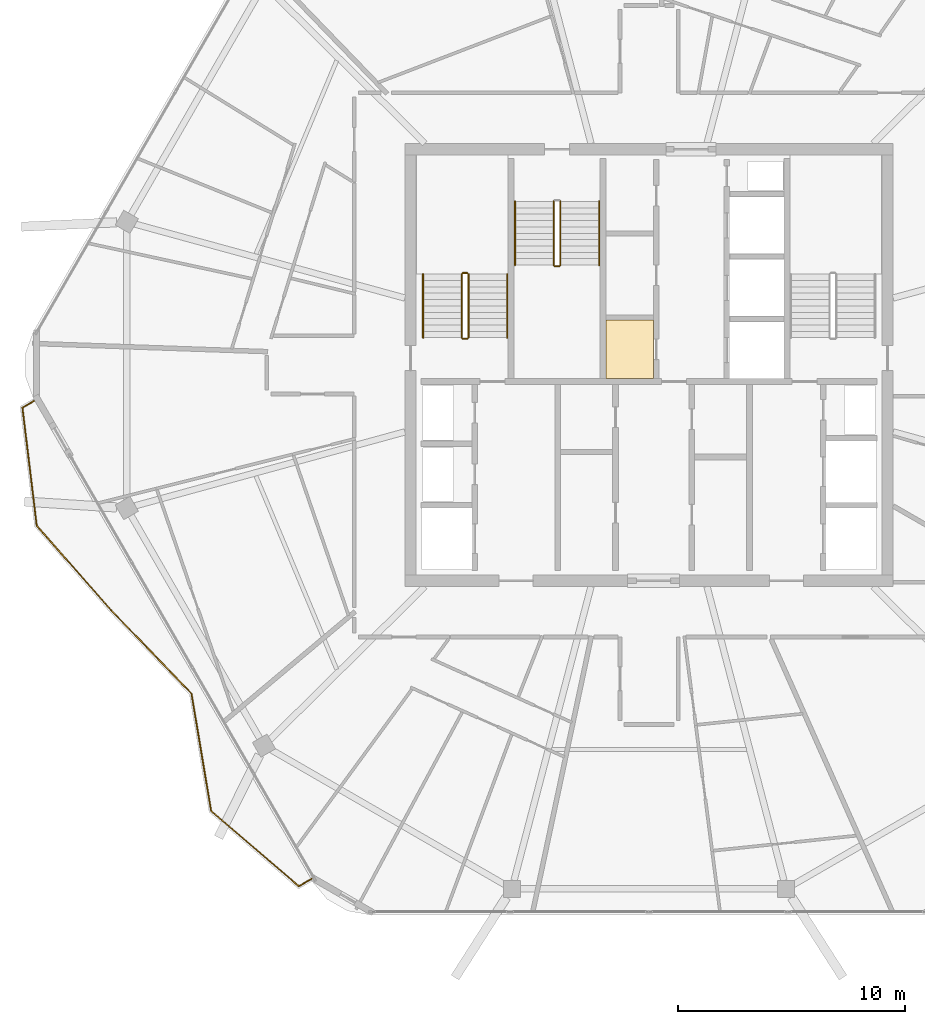
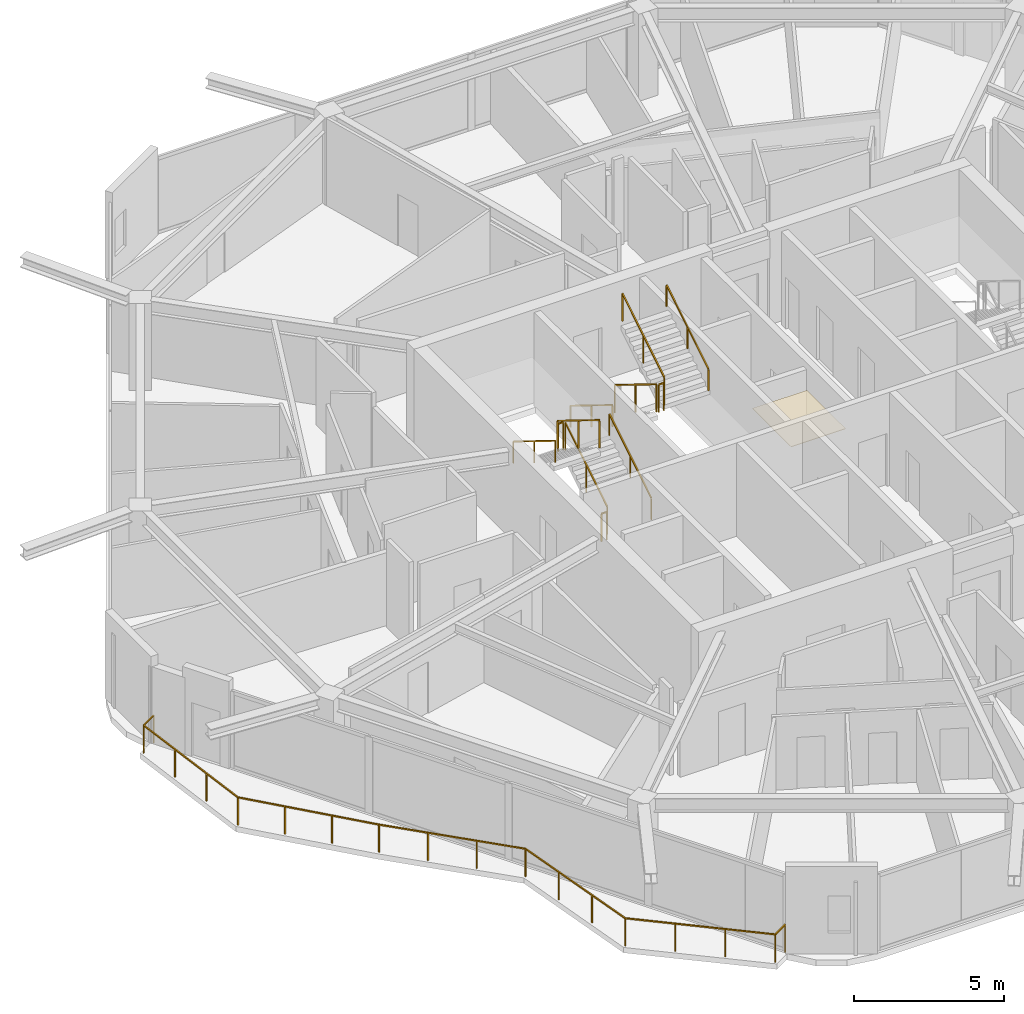
# One storey, part 17 of 18: 12 railings, 1 covering.
"""IFC4 building model written with IfcOpenShell, lengths in metres."""

from ifc_helpers import new_model, si_unit, direction, frame, origin, origin_2d, place, context, subcontext, project, spatial, polyline, rectangle, outline, extrude, material, layer, layer_set, type_object, element, save


model = new_model("IFC4")

# Units and contexts
model_context = context("Model", 3, precision=1e-05, world=origin(), true_north=direction((0.0, 1.0)))
body_context = subcontext(model_context, "Body", "Model", "MODEL_VIEW")
ifc_project = project(units=[si_unit("LENGTHUNIT", "METRE"), si_unit("AREAUNIT", "SQUARE_METRE"), si_unit("VOLUMEUNIT", "CUBIC_METRE"), si_unit("PLANEANGLEUNIT", "RADIAN"), si_unit("MASSUNIT", "GRAM", prefix="KILO")], contexts=[model_context])

# Site, building, storey
site_placement = place(None, origin())
site = spatial("IfcSite", under=ifc_project, at=site_placement, CompositionType="ELEMENT")
building_placement = place(site_placement, origin())
building = spatial("IfcBuilding", under=site, at=building_placement, Name="Zuhravey Tower", CompositionType="ELEMENT")
storey_placement = place(building_placement, frame((0.0, 0.0, 342.39990234375)))
storey = spatial("IfcBuildingStorey", under=building, at=storey_placement, Name="L87", CompositionType="ELEMENT", Elevation=342.39990234375)

# Railing
ifc_material_1 = material(Name="Stainless steel 316 and laminated glass", Category="steel")
railing_type_1 = type_object("IfcRailingType", Name="Balcony & Terrace Guardrail 1150", PredefinedType="BALUSTRADE", material=ifc_material_1)
railing_1_placement = place(storey_placement, frame((21.16162109375, 9.382568359375, 0.0)))
element("IfcRailing", 1, at=railing_1_placement, inside=storey, type_object=railing_type_1, Name="L87 Face 4 Wave Balcony Guardrail GR1", PredefinedType="BALUSTRADE", context=body_context, shape_type="SweptSolid", body=[
    extrude(rectangle(XDim=0.048095703125, YDim=0.048095703125, at=origin_2d()), frame((-0.001708984375, -0.0009765625, 1.1259765625), z_axis=(-0.865875610315, -0.500259360194, 0.0), x_axis=(0.500259360194, -0.865875610315, 0.0)), (0.0, 0.0, 1.0), 0.6650390625),
    extrude(rectangle(XDim=0.048095703125, YDim=0.048095703125, at=origin_2d()), frame((-0.580810546875, -0.33349609375, 1.1259765625), z_axis=(-0.758830196933, 0.651288516882, 0.0), x_axis=(-0.651288516882, -0.758830196933, 0.0)), (0.0, 0.0, 1.0), 5.09033203125),
    extrude(rectangle(XDim=0.048095703125, YDim=0.048095703125, at=origin_2d()), frame((-4.4453125, 2.985107421875, 1.1259765625), z_axis=(-0.164588060197, 0.986362393059, 0.0), x_axis=(-0.986362393059, -0.164588060197, 0.0)), (0.0, 0.0, 1.0), 5.230712890625),
    extrude(rectangle(XDim=0.048095703125, YDim=0.048095703125, at=origin_2d()), frame((-5.30810546875, 8.14794921875, 1.1259765625), z_axis=(-0.694000505322, 0.719974512474, 0.0), x_axis=(-0.719974512474, -0.694000505322, 0.0)), (0.0, 0.0, 1.0), 5.0810546875),
    extrude(rectangle(XDim=0.048095703125, YDim=0.048095703125, at=origin_2d()), frame((-8.8369140625, 11.80908203125, 1.1259765625), z_axis=(-0.660986441108, 0.750397844261, 0.0), x_axis=(-0.750397844261, -0.660986441108, 0.0)), (0.0, 0.0, 1.0), 4.96826171875),
    extrude(rectangle(XDim=0.048095703125, YDim=0.048095703125, at=origin_2d()), frame((-12.12255859375, 15.540771484375, 1.1259765625), z_axis=(-0.120161543709, 0.992754351999, 0.0), x_axis=(-0.992754351999, -0.120161543709, 0.0)), (0.0, 0.0, 1.0), 5.23388671875),
    extrude(rectangle(XDim=0.048095703125, YDim=0.048095703125, at=origin_2d()), frame((-12.75, 20.73974609375, 1.1259765625), z_axis=(0.865847636097, 0.500307776339, 0.0), x_axis=(-0.500307776339, 0.865847636097, 0.0)), (0.0, 0.0, 1.0), 0.669921875),
    extrude(rectangle(XDim=0.0419921875, YDim=0.0419921875, at=origin_2d()), origin(), (0.0, 0.0, 1.0), 1.099853515625),
    extrude(rectangle(XDim=0.0419921875, YDim=0.0419921875, at=origin_2d()), frame((-0.579345703125, -0.334716796875, 0.0)), (0.0, 0.0, 1.0), 1.099853515625),
    extrude(rectangle(XDim=0.0419921875, YDim=0.0419921875, at=origin_2d()), frame((-1.867919921875, 0.771240234375, 0.0)), (0.0, 0.0, 1.0), 1.099853515625),
    extrude(rectangle(XDim=0.0419921875, YDim=0.0419921875, at=origin_2d()), frame((-3.156494140625, 1.877197265625, 0.0)), (0.0, 0.0, 1.0), 1.099853515625),
    extrude(rectangle(XDim=0.0419921875, YDim=0.0419921875, at=origin_2d()), frame((-4.445068359375, 2.983154296875, 0.0)), (0.0, 0.0, 1.0), 1.099853515625),
    extrude(rectangle(XDim=0.0419921875, YDim=0.0419921875, at=origin_2d()), frame((-4.732177734375, 4.704345703125, 0.0)), (0.0, 0.0, 1.0), 1.099853515625),
    extrude(rectangle(XDim=0.0419921875, YDim=0.0419921875, at=origin_2d()), frame((-5.01953125, 6.42529296875, 0.0)), (0.0, 0.0, 1.0), 1.099853515625),
    extrude(rectangle(XDim=0.0419921875, YDim=0.0419921875, at=origin_2d()), frame((-5.306640625, 8.146484375, 0.0)), (0.0, 0.0, 1.0), 1.099853515625),
    extrude(rectangle(XDim=0.0419921875, YDim=0.0419921875, at=origin_2d()), frame((-6.48291015625, 9.366943359375, 0.0)), (0.0, 0.0, 1.0), 1.099853515625),
    extrude(rectangle(XDim=0.0419921875, YDim=0.0419921875, at=origin_2d()), frame((-7.659423828125, 10.587158203125, 0.0)), (0.0, 0.0, 1.0), 1.099853515625),
    extrude(rectangle(XDim=0.0419921875, YDim=0.0419921875, at=origin_2d()), frame((-8.835693359375, 11.8076171875, 0.0)), (0.0, 0.0, 1.0), 1.099853515625),
    extrude(rectangle(XDim=0.0419921875, YDim=0.0419921875, at=origin_2d()), frame((-9.93115234375, 13.05126953125, 0.0)), (0.0, 0.0, 1.0), 1.099853515625),
    extrude(rectangle(XDim=0.0419921875, YDim=0.0419921875, at=origin_2d()), frame((-11.02685546875, 14.295166015625, 0.0)), (0.0, 0.0, 1.0), 1.099853515625),
    extrude(rectangle(XDim=0.0419921875, YDim=0.0419921875, at=origin_2d()), frame((-12.122314453125, 15.538818359375, 0.0)), (0.0, 0.0, 1.0), 1.099853515625),
    extrude(rectangle(XDim=0.0419921875, YDim=0.0419921875, at=origin_2d()), frame((-12.33203125, 17.272216796875, 0.0)), (0.0, 0.0, 1.0), 1.099853515625),
    extrude(rectangle(XDim=0.0419921875, YDim=0.0419921875, at=origin_2d()), frame((-12.5419921875, 19.00537109375, 0.0)), (0.0, 0.0, 1.0), 1.099853515625),
    extrude(rectangle(XDim=0.0419921875, YDim=0.0419921875, at=origin_2d()), frame((-12.751708984375, 20.73876953125, 0.0)), (0.0, 0.0, 1.0), 1.099853515625),
    extrude(rectangle(XDim=0.0419921875, YDim=0.0419921875, at=origin_2d()), frame((-12.168212890625, 21.075927734375, 0.0)), (0.0, 0.0, 1.0), 1.099853515625),
])

# Covering
ifc_material_2 = material(Name="Moisture-resistant gypsum ceiling board")
ifc_layer = layer(ifc_material_2, 0.02001953125)
ifc_layer_set = layer_set([ifc_layer], Name="Moisture-resistant gypsum ceiling board")
covering_type = type_object("IfcCoveringType", Name="Moisture-Resistant Ceiling", PredefinedType="CEILING", material=ifc_layer_set)
covering_placement = place(storey_placement, frame((0.0, 0.0, 2.690185546875)))
element("IfcCovering", 2, at=covering_placement, inside=storey, type_object=covering_type, Name="L87 Wet-Room Ceiling CLG2", PredefinedType="CEILING", context=body_context, shape_type="SweptSolid", body=[
    extrude(outline(polyline([(36.199951171875, 31.39990234375), (36.199951171875, 33.97998046875), (34.10009765625, 33.97998046875), (34.10009765625, 31.39990234375), (36.199951171875, 31.39990234375)])), origin(), (0.0, 0.0, 1.0), 0.02001953125),
])

# Railings
ifc_material_3 = material(Name="Brushed stainless steel", Category="steel")
railing_type_2 = type_object("IfcRailingType", Name="Stair Wall Handrail 900", PredefinedType="HANDRAIL", material=ifc_material_3)
railing_2_placement = place(storey_placement, frame((29.75, 33.199951171875, 0.1728515625)))
element("IfcRailing", 3, at=railing_2_placement, inside=storey, type_object=railing_type_2, Name="L87 ST1 stair handrail 1", PredefinedType="HANDRAIL", context=body_context, shape_type="SweptSolid", body=[
    extrude(rectangle(XDim=0.048095703125, YDim=0.048095703125, at=origin_2d()), frame((0.0, 0.001708984375, 0.876953125), z_axis=(0.0, 0.851089632645, 0.525020415988), x_axis=(-1.0, 0.0, 0.0)), (0.0, 0.0, 1.0), 3.285888671875),
    extrude(rectangle(XDim=0.0419921875, YDim=0.0419921875, at=origin_2d()), origin(), (0.0, 0.0, 1.0), 0.849853515625),
    extrude(rectangle(XDim=0.0419921875, YDim=0.0419921875, at=origin_2d()), frame((0.0, 1.39990234375, 0.86376953125)), (0.0, 0.0, 1.0), 0.849853515625),
    extrude(rectangle(XDim=0.0419921875, YDim=0.0419921875, at=origin_2d()), frame((0.0, 2.800048828125, 1.727294921875)), (0.0, 0.0, 1.0), 0.849853515625),
])
for number, where, name in (
    (4, (26.050048828125, 36.0, 2.07275390625), "L87 ST1 stair handrail 2"),
    (5, (30.10009765625, 39.199951171875, 0.1728515625), "L87 ST3 stair handrail 1"),
):
    element("IfcRailing", number, at=place(storey_placement, frame(where)), inside=storey, type_object=railing_type_2, Name=name, PredefinedType="HANDRAIL", context=body_context, shape_type="SweptSolid", body=[
        extrude(rectangle(XDim=0.048095703125, YDim=0.048095703125, at=origin_2d()), frame((0.0, -0.001708984375, 0.876953125), z_axis=(0.0, -0.851089632645, 0.525020415988), x_axis=(1.0, 0.0, 0.0)), (0.0, 0.0, 1.0), 3.285888671875),
        extrude(rectangle(XDim=0.0419921875, YDim=0.0419921875, at=origin_2d()), origin(), (0.0, 0.0, 1.0), 0.849853515625),
        extrude(rectangle(XDim=0.0419921875, YDim=0.0419921875, at=origin_2d()), frame((0.0, -1.39990234375, 0.86376953125)), (0.0, 0.0, 1.0), 0.849853515625),
        extrude(rectangle(XDim=0.0419921875, YDim=0.0419921875, at=origin_2d()), frame((0.0, -2.800048828125, 1.727294921875)), (0.0, 0.0, 1.0), 0.849853515625),
    ])
railing_3_placement = place(storey_placement, frame((33.800048828125, 36.39990234375, 2.07275390625)))
element("IfcRailing", 6, at=railing_3_placement, inside=storey, type_object=railing_type_2, Name="L87 ST3 stair handrail 2", PredefinedType="HANDRAIL", context=body_context, shape_type="SweptSolid", body=[
    extrude(rectangle(XDim=0.048095703125, YDim=0.048095703125, at=origin_2d()), frame((0.0, 0.001708984375, 0.876953125), z_axis=(0.0, 0.851089632645, 0.525020415988), x_axis=(-1.0, 0.0, 0.0)), (0.0, 0.0, 1.0), 3.285888671875),
    extrude(rectangle(XDim=0.0419921875, YDim=0.0419921875, at=origin_2d()), origin(), (0.0, 0.0, 1.0), 0.849853515625),
    extrude(rectangle(XDim=0.0419921875, YDim=0.0419921875, at=origin_2d()), frame((0.0, 1.39990234375, 0.86376953125)), (0.0, 0.0, 1.0), 0.849853515625),
    extrude(rectangle(XDim=0.0419921875, YDim=0.0419921875, at=origin_2d()), frame((0.0, 2.800048828125, 1.727294921875)), (0.0, 0.0, 1.0), 0.849853515625),
])
ifc_material_4 = material(Name="Painted tubular steel", Category="steel")
railing_type_3 = type_object("IfcRailingType", Name="Stair Well Guardrail 1150", PredefinedType="GUARDRAIL", material=ifc_material_4)
railing_4_placement = place(storey_placement, frame((28.050048828125, 33.199951171875, 0.1728515625)))
element("IfcRailing", 7, at=railing_4_placement, inside=storey, type_object=railing_type_3, Name="L87 ST1 stair guard 1", PredefinedType="GUARDRAIL", context=body_context, shape_type="SweptSolid", body=[
    extrude(rectangle(XDim=0.048095703125, YDim=0.048095703125, at=origin_2d()), frame((0.0, 0.001708984375, 1.126953125), z_axis=(0.0, 0.851089632645, 0.525020415988), x_axis=(-1.0, 0.0, 0.0)), (0.0, 0.0, 1.0), 3.285888671875),
    extrude(rectangle(XDim=0.0419921875, YDim=0.0419921875, at=origin_2d()), origin(), (0.0, 0.0, 1.0), 1.099853515625),
    extrude(rectangle(XDim=0.0419921875, YDim=0.0419921875, at=origin_2d()), frame((0.0, 1.39990234375, 0.86376953125)), (0.0, 0.0, 1.0), 1.099853515625),
    extrude(rectangle(XDim=0.0419921875, YDim=0.0419921875, at=origin_2d()), frame((0.0, 2.800048828125, 1.727294921875)), (0.0, 0.0, 1.0), 1.099853515625),
])
railing_5_placement = place(storey_placement, frame((28.0, 36.050048828125, 1.900146484375)))
element("IfcRailing", 8, at=railing_5_placement, inside=storey, type_object=railing_type_3, Name="L87 ST1 stair guard 2", PredefinedType="GUARDRAIL", context=body_context, shape_type="SweptSolid", body=[
    extrude(rectangle(XDim=0.048095703125, YDim=0.048095703125, at=origin_2d()), frame((-0.001953125, 0.0, 1.1259765625), z_axis=(-1.0, 0.0, 0.0), x_axis=(0.0, -1.0, 0.0)), (0.0, 0.0, 1.0), 0.196044921875),
    extrude(rectangle(XDim=0.0419921875, YDim=0.0419921875, at=origin_2d()), origin(), (0.0, 0.0, 1.0), 1.099853515625),
    extrude(rectangle(XDim=0.0419921875, YDim=0.0419921875, at=origin_2d()), frame((-0.199951171875, 0.0, 0.0)), (0.0, 0.0, 1.0), 1.099853515625),
])
railing_6_placement = place(storey_placement, frame((27.75, 36.0, 2.07275390625)))
element("IfcRailing", 9, at=railing_6_placement, inside=storey, type_object=railing_type_3, Name="L87 ST1 stair guard 3", PredefinedType="GUARDRAIL", context=body_context, shape_type="SweptSolid", body=[
    extrude(rectangle(XDim=0.048095703125, YDim=0.048095703125, at=origin_2d()), frame((0.0, -0.001708984375, 1.126953125), z_axis=(0.0, -0.851089632645, 0.525020415988), x_axis=(1.0, 0.0, 0.0)), (0.0, 0.0, 1.0), 3.285888671875),
    extrude(rectangle(XDim=0.0419921875, YDim=0.0419921875, at=origin_2d()), origin(), (0.0, 0.0, 1.0), 1.099853515625),
    extrude(rectangle(XDim=0.0419921875, YDim=0.0419921875, at=origin_2d()), frame((0.0, -1.39990234375, 0.86376953125)), (0.0, 0.0, 1.0), 1.099853515625),
    extrude(rectangle(XDim=0.0419921875, YDim=0.0419921875, at=origin_2d()), frame((0.0, -2.800048828125, 1.727294921875)), (0.0, 0.0, 1.0), 1.099853515625),
])
railing_7_placement = place(storey_placement, frame((28.0, 33.14990234375, 0.0)))
element("IfcRailing", 10, at=railing_7_placement, inside=storey, type_object=railing_type_3, Name="L87 ST1 stair guard 4", PredefinedType="GUARDRAIL", context=body_context, shape_type="SweptSolid", body=[
    extrude(rectangle(XDim=0.048095703125, YDim=0.048095703125, at=origin_2d()), frame((-0.001953125, 0.0, 1.1259765625), z_axis=(-1.0, 0.0, 0.0), x_axis=(0.0, -1.0, 0.0)), (0.0, 0.0, 1.0), 0.196044921875),
    extrude(rectangle(XDim=0.0419921875, YDim=0.0419921875, at=origin_2d()), origin(), (0.0, 0.0, 1.0), 1.099853515625),
    extrude(rectangle(XDim=0.0419921875, YDim=0.0419921875, at=origin_2d()), frame((-0.199951171875, 0.0, 0.0)), (0.0, 0.0, 1.0), 1.099853515625),
])
railing_8_placement = place(storey_placement, frame((31.800048828125, 39.199951171875, 0.1728515625)))
element("IfcRailing", 11, at=railing_8_placement, inside=storey, type_object=railing_type_3, Name="L87 ST3 stair guard 1", PredefinedType="GUARDRAIL", context=body_context, shape_type="SweptSolid", body=[
    extrude(rectangle(XDim=0.048095703125, YDim=0.048095703125, at=origin_2d()), frame((0.0, -0.001708984375, 1.126953125), z_axis=(0.0, -0.851089632645, 0.525020415988), x_axis=(1.0, 0.0, 0.0)), (0.0, 0.0, 1.0), 3.285888671875),
    extrude(rectangle(XDim=0.0419921875, YDim=0.0419921875, at=origin_2d()), origin(), (0.0, 0.0, 1.0), 1.099853515625),
    extrude(rectangle(XDim=0.0419921875, YDim=0.0419921875, at=origin_2d()), frame((0.0, -1.39990234375, 0.86376953125)), (0.0, 0.0, 1.0), 1.099853515625),
    extrude(rectangle(XDim=0.0419921875, YDim=0.0419921875, at=origin_2d()), frame((0.0, -2.800048828125, 1.727294921875)), (0.0, 0.0, 1.0), 1.099853515625),
])
railing_9_placement = place(storey_placement, frame((31.85009765625, 36.35009765625, 1.900146484375)))
element("IfcRailing", 12, at=railing_9_placement, inside=storey, type_object=railing_type_3, Name="L87 ST3 stair guard 2", PredefinedType="GUARDRAIL", context=body_context, shape_type="SweptSolid", body=[
    extrude(rectangle(XDim=0.048095703125, YDim=0.048095703125, at=origin_2d()), frame((0.001953125, 0.0, 1.1259765625), z_axis=(1.0, 0.0, 0.0), x_axis=(0.0, 1.0, 0.0)), (0.0, 0.0, 1.0), 0.196044921875),
    extrude(rectangle(XDim=0.0419921875, YDim=0.0419921875, at=origin_2d()), origin(), (0.0, 0.0, 1.0), 1.099853515625),
    extrude(rectangle(XDim=0.0419921875, YDim=0.0419921875, at=origin_2d()), frame((0.199951171875, 0.0, 0.0)), (0.0, 0.0, 1.0), 1.099853515625),
])
railing_10_placement = place(storey_placement, frame((32.10009765625, 36.39990234375, 2.07275390625)))
element("IfcRailing", 13, at=railing_10_placement, inside=storey, type_object=railing_type_3, Name="L87 ST3 stair guard 3", PredefinedType="GUARDRAIL", context=body_context, shape_type="SweptSolid", body=[
    extrude(rectangle(XDim=0.048095703125, YDim=0.048095703125, at=origin_2d()), frame((0.0, 0.001708984375, 1.126953125), z_axis=(0.0, 0.851089632645, 0.525020415988), x_axis=(-1.0, 0.0, 0.0)), (0.0, 0.0, 1.0), 3.285888671875),
    extrude(rectangle(XDim=0.0419921875, YDim=0.0419921875, at=origin_2d()), origin(), (0.0, 0.0, 1.0), 1.099853515625),
    extrude(rectangle(XDim=0.0419921875, YDim=0.0419921875, at=origin_2d()), frame((0.0, 1.39990234375, 0.86376953125)), (0.0, 0.0, 1.0), 1.099853515625),
    extrude(rectangle(XDim=0.0419921875, YDim=0.0419921875, at=origin_2d()), frame((0.0, 2.800048828125, 1.727294921875)), (0.0, 0.0, 1.0), 1.099853515625),
])

save(model, "model.ifc")
